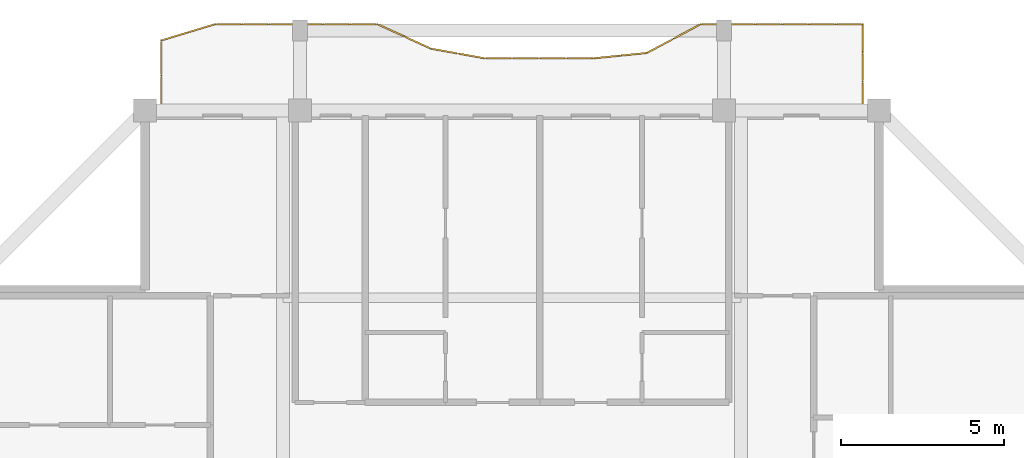
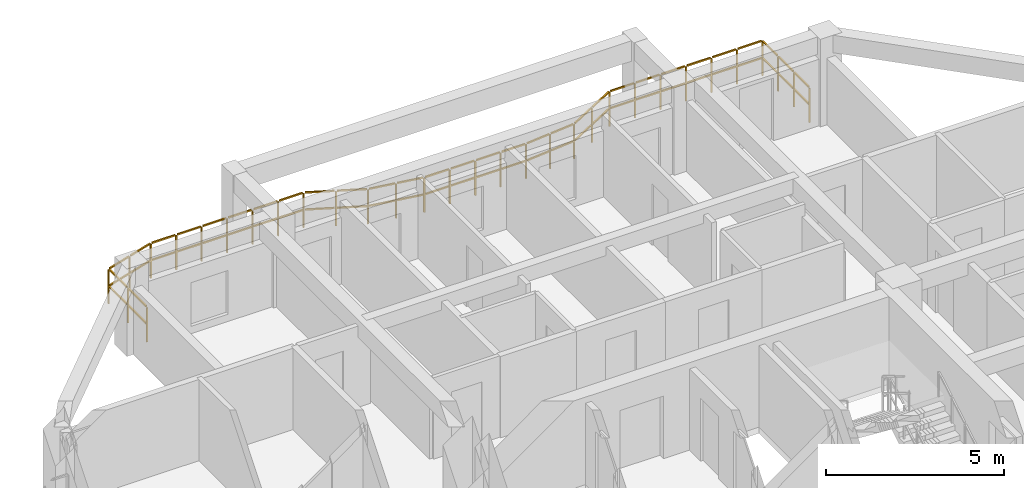
# One storey, part 13 of 13: 1 railing.
"""IFC4 building model written with IfcOpenShell, lengths in metres."""

from ifc_helpers import new_model, si_unit, direction, frame, origin, origin_2d, place, context, subcontext, project, spatial, rectangle, extrude, material, type_object, element, save


model = new_model("IFC4")

# Units and contexts
model_context = context("Model", 3, precision=1e-05, world=origin(), true_north=direction((0.0, 1.0)))
body_context = subcontext(model_context, "Body", "Model", "MODEL_VIEW")
ifc_project = project(units=[si_unit("LENGTHUNIT", "METRE"), si_unit("AREAUNIT", "SQUARE_METRE"), si_unit("VOLUMEUNIT", "CUBIC_METRE"), si_unit("PLANEANGLEUNIT", "RADIAN"), si_unit("MASSUNIT", "GRAM", prefix="KILO")], contexts=[model_context])

# Site, building, storey
site_placement = place(None, origin())
site = spatial("IfcSite", under=ifc_project, at=site_placement, CompositionType="ELEMENT")
building_placement = place(site_placement, origin())
building = spatial("IfcBuilding", under=site, at=building_placement, Name="Saelheon Loggia Tower", CompositionType="ELEMENT")
storey_placement = place(building_placement, frame((0.0, 0.0, 220.199951171875)))
storey = spatial("IfcBuildingStorey", under=building, at=storey_placement, Name="L68", CompositionType="ELEMENT", Elevation=220.199951171875)

# Railing
ifc_material = material(Name="Architectural Precast Concrete and Laminated Glass Guard", Category="concrete")
railing_type = type_object("IfcRailingType", Name="Guard_Loggia_RL_LOG", PredefinedType="BALUSTRADE", material=ifc_material)
railing_placement = place(storey_placement, frame((48.75, 48.0, 0.0)))
element("IfcRailing", 1, at=railing_placement, inside=storey, type_object=railing_type, Name="L68 North Loggia Balustrade", PredefinedType="BALUSTRADE", context=body_context, shape_type="SweptSolid", body=[
    extrude(rectangle(XDim=0.048095703125, YDim=0.048095703125, at=origin_2d()), frame((0.0, 0.033203125, 1.19580078125), z_axis=(0.0, 1.0, 0.0), x_axis=(-1.0, 0.0, 0.0)), (0.0, 0.0, 1.0), 0.81689453125),
    extrude(rectangle(XDim=0.048095703125, YDim=0.048095703125, at=origin_2d()), frame((0.0, 0.033203125, 0.60986328125), z_axis=(0.0, 1.0, 0.0), x_axis=(-1.0, 0.0, 0.0)), (0.0, 0.0, 1.0), 0.81689453125),
    extrude(rectangle(XDim=0.048095703125, YDim=0.048095703125, at=origin_2d()), frame((0.0, 0.91650390625, 1.19580078125), z_axis=(0.0, 1.0, 0.0), x_axis=(-1.0, 0.0, 0.0)), (0.0, 0.0, 1.0), 0.81689453125),
    extrude(rectangle(XDim=0.048095703125, YDim=0.048095703125, at=origin_2d()), frame((0.0, 0.91650390625, 0.60986328125), z_axis=(0.0, 1.0, 0.0), x_axis=(-1.0, 0.0, 0.0)), (0.0, 0.0, 1.0), 0.81689453125),
    extrude(rectangle(XDim=0.048095703125, YDim=0.048095703125, at=origin_2d()), frame((0.0, 1.7998046875, 1.19580078125), z_axis=(0.0, 1.0, 0.0), x_axis=(-1.0, 0.0, 0.0)), (0.0, 0.0, 1.0), 0.81689453125),
    extrude(rectangle(XDim=0.048095703125, YDim=0.048095703125, at=origin_2d()), frame((0.0, 1.7998046875, 0.60986328125), z_axis=(0.0, 1.0, 0.0), x_axis=(-1.0, 0.0, 0.0)), (0.0, 0.0, 1.0), 0.81689453125),
    extrude(rectangle(XDim=0.048095703125, YDim=0.048095703125, at=origin_2d()), frame((-0.033203125, 2.64990234375, 1.19580078125), z_axis=(-1.0, 0.0, 0.0), x_axis=(0.0, -1.0, 0.0)), (0.0, 0.0, 1.0), 0.760498046875),
    extrude(rectangle(XDim=0.048095703125, YDim=0.048095703125, at=origin_2d()), frame((-0.033203125, 2.64990234375, 0.60986328125), z_axis=(-1.0, 0.0, 0.0), x_axis=(0.0, -1.0, 0.0)), (0.0, 0.0, 1.0), 0.760498046875),
    extrude(rectangle(XDim=0.048095703125, YDim=0.048095703125, at=origin_2d()), frame((-0.860107421875, 2.64990234375, 1.19580078125), z_axis=(-1.0, 0.0, 0.0), x_axis=(0.0, -1.0, 0.0)), (0.0, 0.0, 1.0), 0.760498046875),
    extrude(rectangle(XDim=0.048095703125, YDim=0.048095703125, at=origin_2d()), frame((-0.860107421875, 2.64990234375, 0.60986328125), z_axis=(-1.0, 0.0, 0.0), x_axis=(0.0, -1.0, 0.0)), (0.0, 0.0, 1.0), 0.760498046875),
    extrude(rectangle(XDim=0.048095703125, YDim=0.048095703125, at=origin_2d()), frame((-1.68701171875, 2.64990234375, 1.19580078125), z_axis=(-1.0, 0.0, 0.0), x_axis=(0.0, -1.0, 0.0)), (0.0, 0.0, 1.0), 0.760498046875),
    extrude(rectangle(XDim=0.048095703125, YDim=0.048095703125, at=origin_2d()), frame((-1.68701171875, 2.64990234375, 0.60986328125), z_axis=(-1.0, 0.0, 0.0), x_axis=(0.0, -1.0, 0.0)), (0.0, 0.0, 1.0), 0.760498046875),
    extrude(rectangle(XDim=0.048095703125, YDim=0.048095703125, at=origin_2d()), frame((-2.513916015625, 2.64990234375, 1.19580078125), z_axis=(-1.0, 0.0, 0.0), x_axis=(0.0, -1.0, 0.0)), (0.0, 0.0, 1.0), 0.760498046875),
    extrude(rectangle(XDim=0.048095703125, YDim=0.048095703125, at=origin_2d()), frame((-2.513916015625, 2.64990234375, 0.60986328125), z_axis=(-1.0, 0.0, 0.0), x_axis=(0.0, -1.0, 0.0)), (0.0, 0.0, 1.0), 0.760498046875),
    extrude(rectangle(XDim=0.048095703125, YDim=0.048095703125, at=origin_2d()), frame((-3.3408203125, 2.64990234375, 1.19580078125), z_axis=(-0.999999466081, -0.001033362306, 0.0), x_axis=(0.001033362306, -0.999999466081, 0.0)), (0.0, 0.0, 1.0), 0.760498046875),
    extrude(rectangle(XDim=0.048095703125, YDim=0.048095703125, at=origin_2d()), frame((-3.3408203125, 2.64990234375, 0.60986328125), z_axis=(-0.999999466081, -0.001033362306, 0.0), x_axis=(0.001033362306, -0.999999466081, 0.0)), (0.0, 0.0, 1.0), 0.760498046875),
    extrude(rectangle(XDim=0.048095703125, YDim=0.048095703125, at=origin_2d()), frame((-4.167724609375, 2.64892578125, 1.19580078125), z_axis=(-0.999999466081, -0.001033362306, 0.0), x_axis=(0.001033362306, -0.999999466081, 0.0)), (0.0, 0.0, 1.0), 0.760498046875),
    extrude(rectangle(XDim=0.048095703125, YDim=0.048095703125, at=origin_2d()), frame((-4.167724609375, 2.64892578125, 0.60986328125), z_axis=(-0.999999466081, -0.001033362306, 0.0), x_axis=(0.001033362306, -0.999999466081, 0.0)), (0.0, 0.0, 1.0), 0.760498046875),
    extrude(rectangle(XDim=0.048095703125, YDim=0.048095703125, at=origin_2d()), frame((-4.99072265625, 2.632568359375, 1.19580078125), z_axis=(-0.882425040015, -0.470453025024, 0.0), x_axis=(0.470453025024, -0.882425040015, 0.0)), (0.0, 0.0, 1.0), 0.870849609375),
    extrude(rectangle(XDim=0.048095703125, YDim=0.048095703125, at=origin_2d()), frame((-4.99072265625, 2.632568359375, 0.60986328125), z_axis=(-0.882425040015, -0.470453025024, 0.0), x_axis=(0.470453025024, -0.882425040015, 0.0)), (0.0, 0.0, 1.0), 0.870849609375),
    extrude(rectangle(XDim=0.048095703125, YDim=0.048095703125, at=origin_2d()), frame((-5.81787109375, 2.191650390625, 1.19580078125), z_axis=(-0.882425040015, -0.470453025024, 0.0), x_axis=(0.470453025024, -0.882425040015, 0.0)), (0.0, 0.0, 1.0), 0.870849609375),
    extrude(rectangle(XDim=0.048095703125, YDim=0.048095703125, at=origin_2d()), frame((-5.81787109375, 2.191650390625, 0.60986328125), z_axis=(-0.882425040015, -0.470453025024, 0.0), x_axis=(0.470453025024, -0.882425040015, 0.0)), (0.0, 0.0, 1.0), 0.870849609375),
    extrude(rectangle(XDim=0.048095703125, YDim=0.048095703125, at=origin_2d()), frame((-6.6484375, 1.762939453125, 1.19580078125), z_axis=(-0.99498469818, -0.100027248223, 0.0), x_axis=(0.100027248223, -0.99498469818, 0.0)), (0.0, 0.0, 1.0), 0.7646484375),
    extrude(rectangle(XDim=0.048095703125, YDim=0.048095703125, at=origin_2d()), frame((-6.6484375, 1.762939453125, 0.60986328125), z_axis=(-0.99498469818, -0.100027248223, 0.0), x_axis=(0.100027248223, -0.99498469818, 0.0)), (0.0, 0.0, 1.0), 0.7646484375),
    extrude(rectangle(XDim=0.048095703125, YDim=0.048095703125, at=origin_2d()), frame((-7.475341796875, 1.679931640625, 1.19580078125), z_axis=(-0.99498469818, -0.100027248223, 0.0), x_axis=(0.100027248223, -0.99498469818, 0.0)), (0.0, 0.0, 1.0), 0.7646484375),
    extrude(rectangle(XDim=0.048095703125, YDim=0.048095703125, at=origin_2d()), frame((-7.475341796875, 1.679931640625, 0.60986328125), z_axis=(-0.99498469818, -0.100027248223, 0.0), x_axis=(0.100027248223, -0.99498469818, 0.0)), (0.0, 0.0, 1.0), 0.7646484375),
    extrude(rectangle(XDim=0.048095703125, YDim=0.048095703125, at=origin_2d()), frame((-8.302490234375, 1.60009765625, 1.19580078125), z_axis=(-1.0, 0.0, 0.0), x_axis=(0.0, -1.0, 0.0)), (0.0, 0.0, 1.0), 0.760498046875),
    extrude(rectangle(XDim=0.048095703125, YDim=0.048095703125, at=origin_2d()), frame((-8.302490234375, 1.60009765625, 0.60986328125), z_axis=(-1.0, 0.0, 0.0), x_axis=(0.0, -1.0, 0.0)), (0.0, 0.0, 1.0), 0.760498046875),
    extrude(rectangle(XDim=0.048095703125, YDim=0.048095703125, at=origin_2d()), frame((-9.12939453125, 1.60009765625, 1.19580078125), z_axis=(-1.0, 0.0, 0.0), x_axis=(0.0, -1.0, 0.0)), (0.0, 0.0, 1.0), 0.760498046875),
    extrude(rectangle(XDim=0.048095703125, YDim=0.048095703125, at=origin_2d()), frame((-9.12939453125, 1.60009765625, 0.60986328125), z_axis=(-1.0, 0.0, 0.0), x_axis=(0.0, -1.0, 0.0)), (0.0, 0.0, 1.0), 0.760498046875),
    extrude(rectangle(XDim=0.048095703125, YDim=0.048095703125, at=origin_2d()), frame((-9.956298828125, 1.60009765625, 1.19580078125), z_axis=(-1.0, 0.0, 0.0), x_axis=(0.0, -1.0, 0.0)), (0.0, 0.0, 1.0), 0.760498046875),
    extrude(rectangle(XDim=0.048095703125, YDim=0.048095703125, at=origin_2d()), frame((-9.956298828125, 1.60009765625, 0.60986328125), z_axis=(-1.0, 0.0, 0.0), x_axis=(0.0, -1.0, 0.0)), (0.0, 0.0, 1.0), 0.760498046875),
    extrude(rectangle(XDim=0.048095703125, YDim=0.048095703125, at=origin_2d()), frame((-10.783203125, 1.60009765625, 1.19580078125), z_axis=(-1.0, 0.0, 0.0), x_axis=(0.0, -1.0, 0.0)), (0.0, 0.0, 1.0), 0.760498046875),
    extrude(rectangle(XDim=0.048095703125, YDim=0.048095703125, at=origin_2d()), frame((-10.783203125, 1.60009765625, 0.60986328125), z_axis=(-1.0, 0.0, 0.0), x_axis=(0.0, -1.0, 0.0)), (0.0, 0.0, 1.0), 0.760498046875),
    extrude(rectangle(XDim=0.048095703125, YDim=0.048095703125, at=origin_2d()), frame((-11.609619140625, 1.60595703125, 1.19580078125), z_axis=(-0.984317819395, 0.17640416781, 0.0), x_axis=(-0.17640416781, -0.984317819395, 0.0)), (0.0, 0.0, 1.0), 0.773681640625),
    extrude(rectangle(XDim=0.048095703125, YDim=0.048095703125, at=origin_2d()), frame((-11.609619140625, 1.60595703125, 0.60986328125), z_axis=(-0.984317819395, 0.17640416781, 0.0), x_axis=(-0.17640416781, -0.984317819395, 0.0)), (0.0, 0.0, 1.0), 0.773681640625),
    extrude(rectangle(XDim=0.048095703125, YDim=0.048095703125, at=origin_2d()), frame((-12.4365234375, 1.754150390625, 1.19580078125), z_axis=(-0.984317819395, 0.17640416781, 0.0), x_axis=(-0.17640416781, -0.984317819395, 0.0)), (0.0, 0.0, 1.0), 0.773681640625),
    extrude(rectangle(XDim=0.048095703125, YDim=0.048095703125, at=origin_2d()), frame((-12.4365234375, 1.754150390625, 0.60986328125), z_axis=(-0.984317819395, 0.17640416781, 0.0), x_axis=(-0.17640416781, -0.984317819395, 0.0)), (0.0, 0.0, 1.0), 0.773681640625),
    extrude(rectangle(XDim=0.048095703125, YDim=0.048095703125, at=origin_2d()), frame((-13.260986328125, 1.91015625, 1.19580078125), z_axis=(-0.91001650144, 0.414572028852, 0.0), x_axis=(-0.414572028852, -0.91001650144, 0.0)), (0.0, 0.0, 1.0), 0.84228515625),
    extrude(rectangle(XDim=0.048095703125, YDim=0.048095703125, at=origin_2d()), frame((-13.260986328125, 1.91015625, 0.60986328125), z_axis=(-0.91001650144, 0.414572028852, 0.0), x_axis=(-0.414572028852, -0.91001650144, 0.0)), (0.0, 0.0, 1.0), 0.84228515625),
    extrude(rectangle(XDim=0.048095703125, YDim=0.048095703125, at=origin_2d()), frame((-14.087890625, 2.286865234375, 1.19580078125), z_axis=(-0.91001650144, 0.414572028852, 0.0), x_axis=(-0.414572028852, -0.91001650144, 0.0)), (0.0, 0.0, 1.0), 0.84228515625),
    extrude(rectangle(XDim=0.048095703125, YDim=0.048095703125, at=origin_2d()), frame((-14.087890625, 2.286865234375, 0.60986328125), z_axis=(-0.91001650144, 0.414572028852, 0.0), x_axis=(-0.414572028852, -0.91001650144, 0.0)), (0.0, 0.0, 1.0), 0.84228515625),
    extrude(rectangle(XDim=0.048095703125, YDim=0.048095703125, at=origin_2d()), frame((-14.917724609375, 2.64990234375, 1.19580078125), z_axis=(-1.0, 0.0, 0.0), x_axis=(0.0, -1.0, 0.0)), (0.0, 0.0, 1.0), 0.760498046875),
    extrude(rectangle(XDim=0.048095703125, YDim=0.048095703125, at=origin_2d()), frame((-14.917724609375, 2.64990234375, 0.60986328125), z_axis=(-1.0, 0.0, 0.0), x_axis=(0.0, -1.0, 0.0)), (0.0, 0.0, 1.0), 0.760498046875),
    extrude(rectangle(XDim=0.048095703125, YDim=0.048095703125, at=origin_2d()), frame((-15.744873046875, 2.64990234375, 1.19580078125), z_axis=(-1.0, 0.0, 0.0), x_axis=(0.0, -1.0, 0.0)), (0.0, 0.0, 1.0), 0.760498046875),
    extrude(rectangle(XDim=0.048095703125, YDim=0.048095703125, at=origin_2d()), frame((-15.744873046875, 2.64990234375, 0.60986328125), z_axis=(-1.0, 0.0, 0.0), x_axis=(0.0, -1.0, 0.0)), (0.0, 0.0, 1.0), 0.760498046875),
    extrude(rectangle(XDim=0.048095703125, YDim=0.048095703125, at=origin_2d()), frame((-16.57177734375, 2.64990234375, 1.19580078125), z_axis=(-1.0, 0.0, 0.0), x_axis=(0.0, -1.0, 0.0)), (0.0, 0.0, 1.0), 0.760498046875),
    extrude(rectangle(XDim=0.048095703125, YDim=0.048095703125, at=origin_2d()), frame((-16.57177734375, 2.64990234375, 0.60986328125), z_axis=(-1.0, 0.0, 0.0), x_axis=(0.0, -1.0, 0.0)), (0.0, 0.0, 1.0), 0.760498046875),
    extrude(rectangle(XDim=0.048095703125, YDim=0.048095703125, at=origin_2d()), frame((-17.398681640625, 2.64990234375, 1.19580078125), z_axis=(-1.0, 0.0, 0.0), x_axis=(0.0, -1.0, 0.0)), (0.0, 0.0, 1.0), 0.760498046875),
    extrude(rectangle(XDim=0.048095703125, YDim=0.048095703125, at=origin_2d()), frame((-17.398681640625, 2.64990234375, 0.60986328125), z_axis=(-1.0, 0.0, 0.0), x_axis=(0.0, -1.0, 0.0)), (0.0, 0.0, 1.0), 0.760498046875),
    extrude(rectangle(XDim=0.048095703125, YDim=0.048095703125, at=origin_2d()), frame((-18.2255859375, 2.64990234375, 1.19580078125), z_axis=(-1.0, 0.0, 0.0), x_axis=(0.0, -1.0, 0.0)), (0.0, 0.0, 1.0), 0.760498046875),
    extrude(rectangle(XDim=0.048095703125, YDim=0.048095703125, at=origin_2d()), frame((-18.2255859375, 2.64990234375, 0.60986328125), z_axis=(-1.0, 0.0, 0.0), x_axis=(0.0, -1.0, 0.0)), (0.0, 0.0, 1.0), 0.760498046875),
    extrude(rectangle(XDim=0.048095703125, YDim=0.048095703125, at=origin_2d()), frame((-19.052490234375, 2.64990234375, 1.19580078125), z_axis=(-1.0, 0.0, 0.0), x_axis=(0.0, -1.0, 0.0)), (0.0, 0.0, 1.0), 0.760498046875),
    extrude(rectangle(XDim=0.048095703125, YDim=0.048095703125, at=origin_2d()), frame((-19.052490234375, 2.64990234375, 0.60986328125), z_axis=(-1.0, 0.0, 0.0), x_axis=(0.0, -1.0, 0.0)), (0.0, 0.0, 1.0), 0.760498046875),
    extrude(rectangle(XDim=0.048095703125, YDim=0.048095703125, at=origin_2d()), frame((-19.8779296875, 2.640380859375, 1.19580078125), z_axis=(-0.957209606682, -0.289395523248, 0.0), x_axis=(0.289395523248, -0.957209606682, 0.0)), (0.0, 0.0, 1.0), 0.79736328125),
    extrude(rectangle(XDim=0.048095703125, YDim=0.048095703125, at=origin_2d()), frame((-19.8779296875, 2.640380859375, 0.60986328125), z_axis=(-0.957209606682, -0.289395523248, 0.0), x_axis=(0.289395523248, -0.957209606682, 0.0)), (0.0, 0.0, 1.0), 0.79736328125),
    extrude(rectangle(XDim=0.048095703125, YDim=0.048095703125, at=origin_2d()), frame((-20.704833984375, 2.390380859375, 1.19580078125), z_axis=(-0.957209606682, -0.289395523248, 0.0), x_axis=(0.289395523248, -0.957209606682, 0.0)), (0.0, 0.0, 1.0), 0.79736328125),
    extrude(rectangle(XDim=0.048095703125, YDim=0.048095703125, at=origin_2d()), frame((-20.704833984375, 2.390380859375, 0.60986328125), z_axis=(-0.957209606682, -0.289395523248, 0.0), x_axis=(0.289395523248, -0.957209606682, 0.0)), (0.0, 0.0, 1.0), 0.79736328125),
    extrude(rectangle(XDim=0.048095703125, YDim=0.048095703125, at=origin_2d()), frame((-21.5, 2.11669921875, 1.19580078125), z_axis=(0.0, -1.0, 0.0), x_axis=(1.0, 0.0, 0.0)), (0.0, 0.0, 1.0), 1.008544921875),
    extrude(rectangle(XDim=0.048095703125, YDim=0.048095703125, at=origin_2d()), frame((-21.5, 2.11669921875, 0.60986328125), z_axis=(0.0, -1.0, 0.0), x_axis=(1.0, 0.0, 0.0)), (0.0, 0.0, 1.0), 1.008544921875),
    extrude(rectangle(XDim=0.048095703125, YDim=0.048095703125, at=origin_2d()), frame((-21.5, 1.041748046875, 1.19580078125), z_axis=(0.0, -1.0, 0.0), x_axis=(1.0, 0.0, 0.0)), (0.0, 0.0, 1.0), 1.008544921875),
    extrude(rectangle(XDim=0.048095703125, YDim=0.048095703125, at=origin_2d()), frame((-21.5, 1.041748046875, 0.60986328125), z_axis=(0.0, -1.0, 0.0), x_axis=(1.0, 0.0, 0.0)), (0.0, 0.0, 1.0), 1.008544921875),
    extrude(rectangle(XDim=0.0419921875, YDim=0.0419921875, at=origin_2d()), origin(), (0.0, 0.0, 1.0), 1.16796875),
    extrude(rectangle(XDim=0.0419921875, YDim=0.0419921875, at=origin_2d()), frame((0.0, 0.88330078125, 0.0)), (0.0, 0.0, 1.0), 1.16796875),
    extrude(rectangle(XDim=0.0419921875, YDim=0.0419921875, at=origin_2d()), frame((0.0, 1.7666015625, 0.0)), (0.0, 0.0, 1.0), 1.16796875),
    extrude(rectangle(XDim=0.0419921875, YDim=0.0419921875, at=origin_2d()), frame((0.0, 2.64990234375, 0.0)), (0.0, 0.0, 1.0), 1.16796875),
    extrude(rectangle(XDim=0.0419921875, YDim=0.0419921875, at=origin_2d()), frame((-0.826904296875, 2.64990234375, 0.0)), (0.0, 0.0, 1.0), 1.16796875),
    extrude(rectangle(XDim=0.0419921875, YDim=0.0419921875, at=origin_2d()), frame((-1.65380859375, 2.64990234375, 0.0)), (0.0, 0.0, 1.0), 1.16796875),
    extrude(rectangle(XDim=0.0419921875, YDim=0.0419921875, at=origin_2d()), frame((-2.480712890625, 2.64990234375, 0.0)), (0.0, 0.0, 1.0), 1.16796875),
    extrude(rectangle(XDim=0.0419921875, YDim=0.0419921875, at=origin_2d()), frame((-3.3076171875, 2.64990234375, 0.0)), (0.0, 0.0, 1.0), 1.16796875),
    extrude(rectangle(XDim=0.0419921875, YDim=0.0419921875, at=origin_2d()), frame((-4.134521484375, 2.64892578125, 0.0)), (0.0, 0.0, 1.0), 1.16796875),
    extrude(rectangle(XDim=0.0419921875, YDim=0.0419921875, at=origin_2d()), frame((-4.96142578125, 2.648193359375, 0.0)), (0.0, 0.0, 1.0), 1.16796875),
    extrude(rectangle(XDim=0.0419921875, YDim=0.0419921875, at=origin_2d()), frame((-5.78857421875, 2.207275390625, 0.0)), (0.0, 0.0, 1.0), 1.16796875),
    extrude(rectangle(XDim=0.0419921875, YDim=0.0419921875, at=origin_2d()), frame((-6.615478515625, 1.766357421875, 0.0)), (0.0, 0.0, 1.0), 1.16796875),
    extrude(rectangle(XDim=0.0419921875, YDim=0.0419921875, at=origin_2d()), frame((-7.4423828125, 1.68310546875, 0.0)), (0.0, 0.0, 1.0), 1.16796875),
    extrude(rectangle(XDim=0.0419921875, YDim=0.0419921875, at=origin_2d()), frame((-8.269287109375, 1.60009765625, 0.0)), (0.0, 0.0, 1.0), 1.16796875),
    extrude(rectangle(XDim=0.0419921875, YDim=0.0419921875, at=origin_2d()), frame((-9.09619140625, 1.60009765625, 0.0)), (0.0, 0.0, 1.0), 1.16796875),
    extrude(rectangle(XDim=0.0419921875, YDim=0.0419921875, at=origin_2d()), frame((-9.923095703125, 1.60009765625, 0.0)), (0.0, 0.0, 1.0), 1.16796875),
    extrude(rectangle(XDim=0.0419921875, YDim=0.0419921875, at=origin_2d()), frame((-10.75, 1.60009765625, 0.0)), (0.0, 0.0, 1.0), 1.16796875),
    extrude(rectangle(XDim=0.0419921875, YDim=0.0419921875, at=origin_2d()), frame((-11.576904296875, 1.60009765625, 0.0)), (0.0, 0.0, 1.0), 1.16796875),
    extrude(rectangle(XDim=0.0419921875, YDim=0.0419921875, at=origin_2d()), frame((-12.40380859375, 1.748291015625, 0.0)), (0.0, 0.0, 1.0), 1.16796875),
    extrude(rectangle(XDim=0.0419921875, YDim=0.0419921875, at=origin_2d()), frame((-13.230712890625, 1.896484375, 0.0)), (0.0, 0.0, 1.0), 1.16796875),
    extrude(rectangle(XDim=0.0419921875, YDim=0.0419921875, at=origin_2d()), frame((-14.0576171875, 2.273193359375, 0.0)), (0.0, 0.0, 1.0), 1.16796875),
    extrude(rectangle(XDim=0.0419921875, YDim=0.0419921875, at=origin_2d()), frame((-14.884521484375, 2.64990234375, 0.0)), (0.0, 0.0, 1.0), 1.16796875),
    extrude(rectangle(XDim=0.0419921875, YDim=0.0419921875, at=origin_2d()), frame((-15.71142578125, 2.64990234375, 0.0)), (0.0, 0.0, 1.0), 1.16796875),
    extrude(rectangle(XDim=0.0419921875, YDim=0.0419921875, at=origin_2d()), frame((-16.53857421875, 2.64990234375, 0.0)), (0.0, 0.0, 1.0), 1.16796875),
    extrude(rectangle(XDim=0.0419921875, YDim=0.0419921875, at=origin_2d()), frame((-17.365478515625, 2.64990234375, 0.0)), (0.0, 0.0, 1.0), 1.16796875),
    extrude(rectangle(XDim=0.0419921875, YDim=0.0419921875, at=origin_2d()), frame((-18.1923828125, 2.64990234375, 0.0)), (0.0, 0.0, 1.0), 1.16796875),
    extrude(rectangle(XDim=0.0419921875, YDim=0.0419921875, at=origin_2d()), frame((-19.019287109375, 2.64990234375, 0.0)), (0.0, 0.0, 1.0), 1.16796875),
    extrude(rectangle(XDim=0.0419921875, YDim=0.0419921875, at=origin_2d()), frame((-19.84619140625, 2.64990234375, 0.0)), (0.0, 0.0, 1.0), 1.16796875),
    extrude(rectangle(XDim=0.0419921875, YDim=0.0419921875, at=origin_2d()), frame((-20.673095703125, 2.39990234375, 0.0)), (0.0, 0.0, 1.0), 1.16796875),
    extrude(rectangle(XDim=0.0419921875, YDim=0.0419921875, at=origin_2d()), frame((-21.5, 2.14990234375, 0.0)), (0.0, 0.0, 1.0), 1.16796875),
    extrude(rectangle(XDim=0.0419921875, YDim=0.0419921875, at=origin_2d()), frame((-21.5, 1.074951171875, 0.0)), (0.0, 0.0, 1.0), 1.16796875),
    extrude(rectangle(XDim=0.0419921875, YDim=0.0419921875, at=origin_2d()), frame((-21.5, 0.0, 0.0)), (0.0, 0.0, 1.0), 1.16796875),
])

save(model, "model.ifc")
